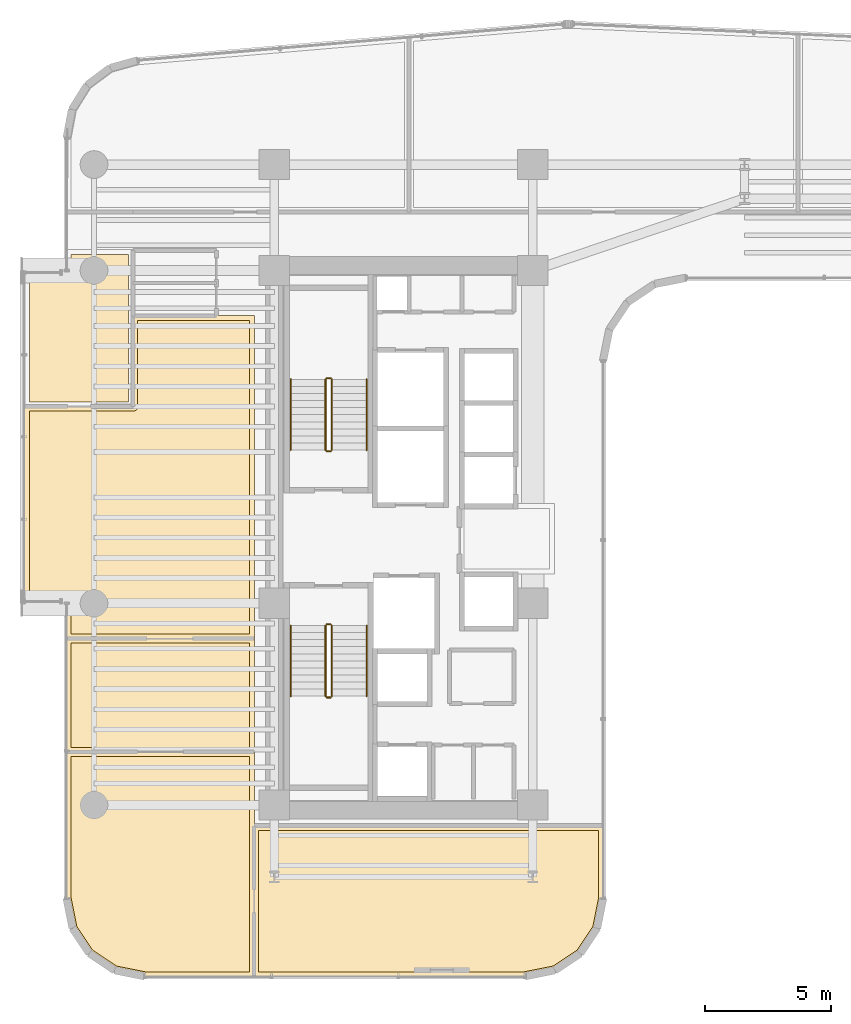
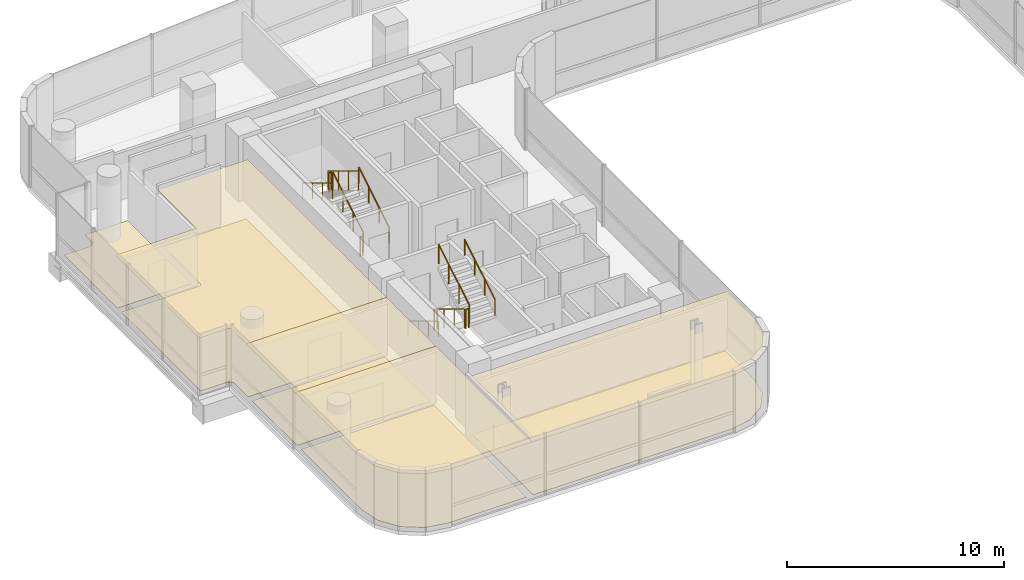
# One storey, part 31 of 34: 12 railings, 9 coverings.
"""IFC4 building model written with IfcOpenShell, lengths in metres."""

from ifc_helpers import new_model, si_unit, direction, frame, origin, origin_2d, place, context, subcontext, project, spatial, polyline, circle, outline, extrude, material, layer, layer_set, type_object, element, save


model = new_model("IFC4")

# Units and contexts
model_context = context("Model", 3, precision=1e-05, world=origin(), true_north=direction((0.0, 1.0)))
body_context = subcontext(model_context, "Body", "Model", "MODEL_VIEW")
ifc_project = project(units=[si_unit("LENGTHUNIT", "METRE"), si_unit("AREAUNIT", "SQUARE_METRE"), si_unit("VOLUMEUNIT", "CUBIC_METRE"), si_unit("PLANEANGLEUNIT", "RADIAN"), si_unit("MASSUNIT", "GRAM", prefix="KILO")], contexts=[model_context])

# Site, building, storey
site_placement = place(None, origin())
site = spatial("IfcSite", under=ifc_project, at=site_placement, CompositionType="ELEMENT")
building_placement = place(site_placement, origin())
building = spatial("IfcBuilding", under=site, at=building_placement, Name="Valdorenza Pilgrim Sanctuary Tower", CompositionType="ELEMENT")
storey_placement = place(building_placement, frame((0.0, 0.0, 146.39990234375)))
storey = spatial("IfcBuildingStorey", under=building, at=storey_placement, Name="L37", CompositionType="ELEMENT", Elevation=146.39990234375)

# Coverings
ifc_material_1 = material(Name="Micro-perforated acoustic mineral ceiling tile", Category="gypsum")
ifc_layer_1 = layer(ifc_material_1, 0.02490234375, Name="Micro-perforated acoustic mineral ceiling tile")
ifc_layer_set_1 = layer_set([ifc_layer_1], Name="Micro-perforated acoustic mineral ceiling tile")
covering_type_1 = type_object("IfcCoveringType", Name="COV-CLG-ACU", PredefinedType="CEILING", material=ifc_layer_set_1)
covering_1_placement = place(storey_placement, frame((0.0, 0.0, 3.16015625)))
element("IfcCovering", 1, at=covering_1_placement, inside=storey, type_object=covering_type_1, Name="L37 Theological Seminar Classroom L37-S1 Acoustic Ceiling", PredefinedType="CEILING", context=body_context, shape_type="SweptSolid", body=[
    extrude(outline(polyline([(-23.43505859375, -17.389892578125), (-23.43505859375, -17.3916015625), (-23.435302734375, -17.392822265625), (-23.435546875, -17.394287109375), (-23.43603515625, -17.395751953125), (-23.436767578125, -17.397216796875), (-23.4375, -17.398193359375), (-23.4384765625, -17.3994140625), (-23.439453125, -17.400634765625), (-23.4404296875, -17.401611328125), (-23.441650390625, -17.402587890625), (-23.44287109375, -17.4033203125), (-23.4443359375, -17.40380859375), (-23.445556640625, -17.404296875), (-23.447021484375, -17.40478515625), (-23.448486328125, -17.40478515625), (-23.449951171875, -17.405029296875), (-27.789306640625, -17.405029296875), (-27.79052734375, -17.40478515625), (-27.7919921875, -17.40478515625), (-28.984619140625, -17.16748046875), (-28.986083984375, -17.1669921875), (-28.9873046875, -17.16650390625), (-28.98876953125, -17.166015625), (-28.989990234375, -17.165283203125), (-29.99169921875, -16.495849609375), (-29.992919921875, -16.4951171875), (-29.993896484375, -16.493896484375), (-29.9951171875, -16.492919921875), (-29.995849609375, -16.49169921875), (-30.665283203125, -15.489990234375), (-30.666015625, -15.48876953125), (-30.66650390625, -15.4873046875), (-30.6669921875, -15.486083984375), (-30.66748046875, -15.484619140625), (-30.90478515625, -14.2919921875), (-30.90478515625, -14.29052734375), (-30.905029296875, -14.289306640625), (-30.905029296875, -8.5), (-30.90478515625, -8.49853515625), (-30.90478515625, -8.4970703125), (-30.904296875, -8.49560546875), (-30.90380859375, -8.494384765625), (-30.9033203125, -8.492919921875), (-30.902587890625, -8.49169921875), (-30.901611328125, -8.490478515625), (-30.900634765625, -8.489501953125), (-30.8994140625, -8.48828125), (-30.898193359375, -8.487548828125), (-30.897216796875, -8.48681640625), (-30.895751953125, -8.486083984375), (-30.894287109375, -8.485595703125), (-30.892822265625, -8.4853515625), (-30.8916015625, -8.485107421875), (-30.889892578125, -8.485107421875), (-23.449951171875, -8.485107421875), (-23.448486328125, -8.485107421875), (-23.447021484375, -8.4853515625), (-23.445556640625, -8.485595703125), (-23.4443359375, -8.486083984375), (-23.44287109375, -8.48681640625), (-23.441650390625, -8.487548828125), (-23.4404296875, -8.48828125), (-23.439453125, -8.489501953125), (-23.4384765625, -8.490478515625), (-23.4375, -8.49169921875), (-23.436767578125, -8.492919921875), (-23.43603515625, -8.494384765625), (-23.435546875, -8.49560546875), (-23.435302734375, -8.4970703125), (-23.43505859375, -8.49853515625), (-23.43505859375, -8.5), (-23.43505859375, -17.389892578125)])), origin(), (0.0, 0.0, 1.0), 0.02490234375),
])
covering_2_placement = place(storey_placement, frame((0.0, 0.0, 3.16015625)))
element("IfcCovering", 2, at=covering_2_placement, inside=storey, type_object=covering_type_1, Name="L37 South Contemplation Salon L37 Acoustic Ceiling", PredefinedType="CEILING", context=body_context, shape_type="SweptSolid", body=[
    extrude(outline(polyline([(-23.43505859375, -8.498046875), (-23.43505859375, -8.49951171875), (-23.435302734375, -8.5009765625), (-23.435546875, -8.50244140625), (-23.43603515625, -8.503662109375), (-23.436767578125, -8.505126953125), (-23.4375, -8.50634765625), (-23.4384765625, -8.507568359375), (-23.439453125, -8.508544921875), (-23.4404296875, -8.509521484375), (-23.441650390625, -8.510498046875), (-23.44287109375, -8.51123046875), (-23.4443359375, -8.511962890625), (-23.445556640625, -8.512451171875), (-23.447021484375, -8.5126953125), (-23.448486328125, -8.512939453125), (-23.449951171875, -8.512939453125), (-30.889892578125, -8.512939453125), (-30.8916015625, -8.512939453125), (-30.892822265625, -8.5126953125), (-30.894287109375, -8.512451171875), (-30.895751953125, -8.511962890625), (-30.897216796875, -8.51123046875), (-30.898193359375, -8.510498046875), (-30.8994140625, -8.509521484375), (-30.900634765625, -8.508544921875), (-30.901611328125, -8.507568359375), (-30.902587890625, -8.50634765625), (-30.9033203125, -8.505126953125), (-30.90380859375, -8.503662109375), (-30.904296875, -8.50244140625), (-30.90478515625, -8.5009765625), (-30.90478515625, -8.49951171875), (-30.905029296875, -8.498046875), (-30.905029296875, -4.0), (-30.90478515625, -3.99853515625), (-30.90478515625, -3.9970703125), (-30.904296875, -3.99560546875), (-30.90380859375, -3.994384765625), (-30.9033203125, -3.992919921875), (-30.902587890625, -3.99169921875), (-30.901611328125, -3.990478515625), (-30.900634765625, -3.989501953125), (-30.8994140625, -3.98828125), (-30.898193359375, -3.987548828125), (-30.897216796875, -3.98681640625), (-30.895751953125, -3.986083984375), (-30.894287109375, -3.985595703125), (-30.892822265625, -3.9853515625), (-30.8916015625, -3.985107421875), (-30.889892578125, -3.985107421875), (-23.449951171875, -3.985107421875), (-23.448486328125, -3.985107421875), (-23.447021484375, -3.9853515625), (-23.445556640625, -3.985595703125), (-23.4443359375, -3.986083984375), (-23.44287109375, -3.98681640625), (-23.441650390625, -3.987548828125), (-23.4404296875, -3.98828125), (-23.439453125, -3.989501953125), (-23.4384765625, -3.990478515625), (-23.4375, -3.99169921875), (-23.436767578125, -3.992919921875), (-23.43603515625, -3.994384765625), (-23.435546875, -3.99560546875), (-23.435302734375, -3.9970703125), (-23.43505859375, -3.99853515625), (-23.43505859375, -4.0), (-23.43505859375, -8.498046875)])), origin(), (0.0, 0.0, 1.0), 0.02490234375),
])
covering_3_placement = place(storey_placement, frame((0.0, 0.0, 3.16015625)))
element("IfcCovering", 3, at=covering_3_placement, inside=storey, type_object=covering_type_1, Name="L37 North Contemplation Salon L37 Acoustic Ceiling", PredefinedType="CEILING", context=body_context, shape_type="SweptSolid", body=[
    extrude(outline(polyline([(-28.262939453125, 5.212890625), (-28.262939453125, 8.798095703125), (-28.262939453125, 8.799560546875), (-28.2626953125, 8.80078125), (-28.262451171875, 8.802490234375), (-28.261962890625, 8.8037109375), (-28.26123046875, 8.80517578125), (-28.260498046875, 8.806396484375), (-28.259521484375, 8.8076171875), (-28.258544921875, 8.80859375), (-28.257568359375, 8.8095703125), (-28.25634765625, 8.810546875), (-28.255126953125, 8.811279296875), (-28.253662109375, 8.81201171875), (-28.25244140625, 8.8125), (-28.2509765625, 8.812744140625), (-28.24951171875, 8.81298828125), (-28.248046875, 8.81298828125), (-24.955322265625, 8.81298828125), (-24.954833984375, 8.813232421875), (-24.95361328125, 8.81396484375), (-24.9521484375, 8.814453125), (-24.95068359375, 8.814697265625), (-24.949462890625, 8.81494140625), (-24.947998046875, 8.81494140625), (-23.449951171875, 8.81494140625), (-23.448486328125, 8.81494140625), (-23.447021484375, 8.814697265625), (-23.445556640625, 8.814453125), (-23.4443359375, 8.81396484375), (-23.44287109375, 8.813232421875), (-23.441650390625, 8.8125), (-23.4404296875, 8.8115234375), (-23.439453125, 8.810546875), (-23.4384765625, 8.8095703125), (-23.4375, 8.808349609375), (-23.436767578125, 8.80712890625), (-23.43603515625, 8.8056640625), (-23.435546875, 8.804443359375), (-23.435302734375, 8.802978515625), (-23.43505859375, 8.801513671875), (-23.43505859375, 8.800048828125), (-23.43505859375, -3.998046875), (-23.43505859375, -3.99951171875), (-23.435302734375, -4.0009765625), (-23.435546875, -4.00244140625), (-23.43603515625, -4.003662109375), (-23.436767578125, -4.005126953125), (-23.4375, -4.00634765625), (-23.4384765625, -4.007568359375), (-23.439453125, -4.008544921875), (-23.4404296875, -4.009521484375), (-23.441650390625, -4.010498046875), (-23.44287109375, -4.01123046875), (-23.4443359375, -4.011962890625), (-23.445556640625, -4.012451171875), (-23.447021484375, -4.0126953125), (-23.448486328125, -4.012939453125), (-23.449951171875, -4.012939453125), (-30.889892578125, -4.012939453125), (-30.8916015625, -4.012939453125), (-30.892822265625, -4.0126953125), (-30.894287109375, -4.012451171875), (-30.895751953125, -4.011962890625), (-30.897216796875, -4.01123046875), (-30.898193359375, -4.010498046875), (-30.8994140625, -4.009521484375), (-30.900634765625, -4.008544921875), (-30.901611328125, -4.007568359375), (-30.902587890625, -4.00634765625), (-30.9033203125, -4.005126953125), (-30.90380859375, -4.003662109375), (-30.904296875, -4.00244140625), (-30.90478515625, -4.0009765625), (-30.90478515625, -3.99951171875), (-30.905029296875, -3.998046875), (-30.905029296875, -2.600341796875), (-30.905517578125, -2.5908203125), (-30.90673828125, -2.58154296875), (-30.9091796875, -2.572509765625), (-30.912109375, -2.563720703125), (-30.916259765625, -2.55517578125), (-30.9208984375, -2.547119140625), (-30.926513671875, -2.539794921875), (-30.932861328125, -2.53271484375), (-30.939697265625, -2.526611328125), (-30.947265625, -2.52099609375), (-30.955078125, -2.51611328125), (-30.963623046875, -2.51220703125), (-30.972412109375, -2.509033203125), (-30.9814453125, -2.5068359375), (-30.99072265625, -2.505615234375), (-31.00048828125, -2.5048828125), (-32.5400390625, -2.5048828125), (-32.54150390625, -2.5048828125), (-32.54296875, -2.504638671875), (-32.54443359375, -2.50439453125), (-32.545654296875, -2.50390625), (-32.547119140625, -2.503173828125), (-32.54833984375, -2.50244140625), (-32.549560546875, -2.501708984375), (-32.550537109375, -2.50048828125), (-32.551513671875, -2.49951171875), (-32.552490234375, -2.498291015625), (-32.55322265625, -2.4970703125), (-32.553955078125, -2.49560546875), (-32.554443359375, -2.494384765625), (-32.5546875, -2.492919921875), (-32.554931640625, -2.491455078125), (-32.554931640625, -2.489990234375), (-32.554931640625, 5.197998046875), (-32.554931640625, 5.199462890625), (-32.5546875, 5.200927734375), (-32.554443359375, 5.202392578125), (-32.553955078125, 5.20361328125), (-32.55322265625, 5.205078125), (-32.552490234375, 5.206298828125), (-32.551513671875, 5.20751953125), (-32.550537109375, 5.20849609375), (-32.549560546875, 5.209716796875), (-32.54833984375, 5.21044921875), (-32.547119140625, 5.211181640625), (-32.545654296875, 5.2119140625), (-32.54443359375, 5.21240234375), (-32.54296875, 5.212646484375), (-32.54150390625, 5.212890625), (-32.5400390625, 5.212890625), (-28.262939453125, 5.212890625)])), origin(), (0.0, 0.0, 1.0), 0.02490234375),
])
covering_4_placement = place(storey_placement, frame((0.0, 0.0, 3.16015625)))
element("IfcCovering", 4, at=covering_4_placement, inside=storey, type_object=covering_type_1, Name="L37 South Panoramic Viewing Salon L37 Acoustic Ceiling", PredefinedType="CEILING", context=body_context, shape_type="SweptSolid", body=[
    extrude(outline(polyline([(-9.610107421875, -11.405029296875), (-9.6083984375, -11.405029296875), (-9.607177734375, -11.4052734375), (-9.605712890625, -11.405517578125), (-9.604248046875, -11.406005859375), (-9.602783203125, -11.40673828125), (-9.601806640625, -11.407470703125), (-9.6005859375, -11.408447265625), (-9.599365234375, -11.409423828125), (-9.598388671875, -11.410400390625), (-9.597412109375, -11.41162109375), (-9.5966796875, -11.412841796875), (-9.59619140625, -11.414306640625), (-9.595703125, -11.41552734375), (-9.59521484375, -11.4169921875), (-9.59521484375, -11.41845703125), (-9.594970703125, -11.419921875), (-9.594970703125, -14.289306640625), (-9.59521484375, -14.29052734375), (-9.59521484375, -14.2919921875), (-9.83251953125, -15.484619140625), (-9.8330078125, -15.486083984375), (-9.83349609375, -15.4873046875), (-9.833984375, -15.48876953125), (-9.834716796875, -15.489990234375), (-10.504150390625, -16.49169921875), (-10.5048828125, -16.492919921875), (-10.506103515625, -16.493896484375), (-10.507080078125, -16.4951171875), (-10.50830078125, -16.495849609375), (-11.510009765625, -17.165283203125), (-11.51123046875, -17.166015625), (-11.5126953125, -17.16650390625), (-11.513916015625, -17.1669921875), (-11.515380859375, -17.16748046875), (-12.7080078125, -17.40478515625), (-12.70947265625, -17.40478515625), (-12.710693359375, -17.405029296875), (-23.447998046875, -17.405029296875), (-23.449462890625, -17.40478515625), (-23.450927734375, -17.40478515625), (-23.452392578125, -17.404296875), (-23.45361328125, -17.40380859375), (-23.455078125, -17.4033203125), (-23.456298828125, -17.402587890625), (-23.45751953125, -17.401611328125), (-23.45849609375, -17.400634765625), (-23.459716796875, -17.3994140625), (-23.46044921875, -17.398193359375), (-23.461181640625, -17.397216796875), (-23.4619140625, -17.395751953125), (-23.46240234375, -17.394287109375), (-23.462646484375, -17.392822265625), (-23.462890625, -17.3916015625), (-23.462890625, -17.389892578125), (-23.462890625, -11.419921875), (-23.462890625, -11.41845703125), (-23.462646484375, -11.4169921875), (-23.46240234375, -11.41552734375), (-23.4619140625, -11.414306640625), (-23.461181640625, -11.412841796875), (-23.46044921875, -11.41162109375), (-23.459716796875, -11.410400390625), (-23.45849609375, -11.409423828125), (-23.45751953125, -11.408447265625), (-23.456298828125, -11.407470703125), (-23.455078125, -11.40673828125), (-23.45361328125, -11.406005859375), (-23.452392578125, -11.405517578125), (-23.450927734375, -11.4052734375), (-23.449462890625, -11.405029296875), (-23.447998046875, -11.405029296875), (-9.610107421875, -11.405029296875)])), origin(), (0.0, 0.0, 1.0), 0.02490234375),
])
ifc_material_2 = material(Name="Engineered European oak timber flooring", Category="wood")
ifc_layer_2 = layer(ifc_material_2, 0.02197265625, Name="Engineered European oak timber flooring")
ifc_layer_set_2 = layer_set([ifc_layer_2], Name="Engineered European oak timber flooring")
covering_type_2 = type_object("IfcCoveringType", Name="COV-FLR-OAK", PredefinedType="FLOORING", material=ifc_layer_set_2)
covering_5_placement = place(storey_placement, origin())
element("IfcCovering", 5, at=covering_5_placement, inside=storey, type_object=covering_type_2, Name="L37 Theological Seminar Classroom L37-S1 Flooring", PredefinedType="FLOORING", context=body_context, shape_type="SweptSolid", body=[
    extrude(outline(polyline([(-23.6298828125, -17.2099609375), (-27.771484375, -17.2099609375), (-28.911376953125, -16.983154296875), (-29.853515625, -16.353515625), (-30.483154296875, -15.411376953125), (-30.7099609375, -14.271484375), (-30.7099609375, -8.679931640625), (-23.6298828125, -8.679931640625), (-23.6298828125, -17.2099609375)])), origin(), (0.0, 0.0, 1.0), 0.025146484375),
])
ifc_material_3 = material(Name="Honed travertine stone flooring", Category="masonry")
ifc_layer_3 = layer(ifc_material_3, 0.030029296875, Name="Honed travertine stone flooring")
ifc_layer_set_3 = layer_set([ifc_layer_3], Name="Honed travertine stone flooring")
covering_type_3 = type_object("IfcCoveringType", Name="COV-FLR-TRV", PredefinedType="FLOORING", material=ifc_layer_set_3)
covering_6_placement = place(storey_placement, origin())
element("IfcCovering", 6, at=covering_6_placement, inside=storey, type_object=covering_type_3, Name="L37 North Contemplation Lounge L37 Flooring", PredefinedType="FLOORING", context=body_context, shape_type="SweptSolid", body=[
    extrude(outline(polyline([(-28.431884765625, 11.239990234375), (-28.431884765625, 10.10205078125), (-28.431884765625, 10.10107421875), (-28.431884765625, 10.100341796875), (-28.431884765625, 10.10009765625), (-28.431884765625, 8.800048828125), (-28.43017578125, 5.3798828125), (-32.360107421875, 5.3798828125), (-32.360107421875, 10.31005859375), (-31.0, 10.31005859375), (-30.9912109375, 10.310302734375), (-30.98046875, 10.310791015625), (-30.962890625, 10.3125), (-30.9521484375, 10.314208984375), (-30.934814453125, 10.3173828125), (-30.92431640625, 10.320068359375), (-30.907470703125, 10.3251953125), (-30.897216796875, 10.328857421875), (-30.880859375, 10.335693359375), (-30.87109375, 10.34033203125), (-30.855712890625, 10.3486328125), (-30.84619140625, 10.35400390625), (-30.831787109375, 10.364013671875), (-30.822998046875, 10.370361328125), (-30.809326171875, 10.381591796875), (-30.80126953125, 10.388916015625), (-30.788818359375, 10.4013671875), (-30.781494140625, 10.4091796875), (-30.7705078125, 10.423095703125), (-30.763916015625, 10.431640625), (-30.754150390625, 10.4462890625), (-30.74853515625, 10.45556640625), (-30.740234375, 10.47119140625), (-30.735595703125, 10.48095703125), (-30.72900390625, 10.497314453125), (-30.725341796875, 10.50732421875), (-30.72021484375, 10.5244140625), (-30.717529296875, 10.534912109375), (-30.714111328125, 10.552001953125), (-30.71240234375, 10.562744140625), (-30.710693359375, 10.580322265625), (-30.710205078125, 10.59130859375), (-30.7099609375, 10.60009765625), (-30.7099609375, 11.239990234375), (-28.431884765625, 11.239990234375)])), origin(), (0.0, 0.0, 1.0), 0.025146484375),
])
covering_7_placement = place(storey_placement, origin())
element("IfcCovering", 7, at=covering_7_placement, inside=storey, type_object=covering_type_3, Name="L37 South Contemplation Salon L37 Flooring", PredefinedType="FLOORING", context=body_context, shape_type="SweptSolid", body=[
    extrude(outline(polyline([(-23.6298828125, -8.318115234375), (-30.7099609375, -8.318115234375), (-30.7099609375, -4.179931640625), (-23.6298828125, -4.179931640625), (-23.6298828125, -8.318115234375)])), origin(), (0.0, 0.0, 1.0), 0.025146484375),
])
covering_8_placement = place(storey_placement, origin())
element("IfcCovering", 8, at=covering_8_placement, inside=storey, type_object=covering_type_3, Name="L37 North Contemplation Salon L37 Flooring", PredefinedType="FLOORING", context=body_context, shape_type="SweptSolid", body=[
    extrude(outline(polyline([(-23.6298828125, 8.619873046875), (-23.6298828125, -3.818115234375), (-30.7099609375, -3.818115234375), (-30.7099609375, -2.60009765625), (-30.710205078125, -2.59130859375), (-30.710693359375, -2.580322265625), (-30.71240234375, -2.562744140625), (-30.714111328125, -2.552001953125), (-30.717529296875, -2.534912109375), (-30.72021484375, -2.5244140625), (-30.725341796875, -2.50732421875), (-30.72900390625, -2.497314453125), (-30.735595703125, -2.48095703125), (-30.740234375, -2.47119140625), (-30.74853515625, -2.45556640625), (-30.754150390625, -2.4462890625), (-30.763916015625, -2.431640625), (-30.7705078125, -2.423095703125), (-30.781494140625, -2.4091796875), (-30.788818359375, -2.4013671875), (-30.80126953125, -2.388916015625), (-30.809326171875, -2.381591796875), (-30.822998046875, -2.370361328125), (-30.831787109375, -2.364013671875), (-30.84619140625, -2.35400390625), (-30.855712890625, -2.3486328125), (-30.87109375, -2.34033203125), (-30.880859375, -2.335693359375), (-30.897216796875, -2.328857421875), (-30.907470703125, -2.3251953125), (-30.92431640625, -2.320068359375), (-30.934814453125, -2.3173828125), (-30.9521484375, -2.314208984375), (-30.962890625, -2.3125), (-30.98046875, -2.310791015625), (-30.9912109375, -2.310302734375), (-31.0, -2.31005859375), (-32.360107421875, -2.31005859375), (-32.360107421875, 5.01806640625), (-28.25, 5.01806640625), (-28.2412109375, 5.018310546875), (-28.240966796875, 5.018310546875), (-28.223388671875, 5.02001953125), (-28.22314453125, 5.02001953125), (-28.205810546875, 5.0234375), (-28.205810546875, 5.0234375), (-28.188720703125, 5.028564453125), (-28.188720703125, 5.02880859375), (-28.17236328125, 5.035400390625), (-28.172119140625, 5.035400390625), (-28.156494140625, 5.043701171875), (-28.156494140625, 5.0439453125), (-28.1416015625, 5.0537109375), (-28.1416015625, 5.053955078125), (-28.1279296875, 5.065185546875), (-28.127685546875, 5.065185546875), (-28.115234375, 5.07763671875), (-28.114990234375, 5.077880859375), (-28.10400390625, 5.091552734375), (-28.103759765625, 5.091796875), (-28.093994140625, 5.1064453125), (-28.09375, 5.1064453125), (-28.08544921875, 5.1220703125), (-28.08544921875, 5.122314453125), (-28.07861328125, 5.138671875), (-28.07861328125, 5.138916015625), (-28.073486328125, 5.15576171875), (-28.073486328125, 5.156005859375), (-28.070068359375, 5.173095703125), (-28.070068359375, 5.17333984375), (-28.068115234375, 5.19091796875), (-28.068115234375, 5.191162109375), (-28.068115234375, 5.199951171875), (-28.068115234375, 8.617919921875), (-24.949951171875, 8.617919921875), (-24.94970703125, 8.617919921875), (-23.6298828125, 8.619873046875)])), origin(), (0.0, 0.0, 1.0), 0.025146484375),
])
covering_9_placement = place(storey_placement, origin())
element("IfcCovering", 9, at=covering_9_placement, inside=storey, type_object=covering_type_3, Name="L37 South Panoramic Viewing Salon L37 Flooring", PredefinedType="FLOORING", context=body_context, shape_type="SweptSolid", body=[
    extrude(outline(polyline([(-9.7900390625, -11.60009765625), (-9.7900390625, -14.271484375), (-10.016845703125, -15.411376953125), (-10.646484375, -16.353515625), (-11.588623046875, -16.983154296875), (-12.728515625, -17.2099609375), (-23.26806640625, -17.2099609375), (-23.26806640625, -11.60009765625), (-9.7900390625, -11.60009765625)])), origin(), (0.0, 0.0, 1.0), 0.025146484375),
])

# Railings
ifc_material_4 = material(Name="Stainless steel Grade 316", Category="steel")
railing_type_1 = type_object("IfcRailingType", Name="RLG-GRD-1120", PredefinedType="GUARDRAIL", material=ifc_material_4)
railing_1_placement = place(storey_placement, frame((-20.3701171875, 3.47998046875, 0.168212890625)))
element("IfcRailing", 10, at=railing_1_placement, inside=storey, type_object=railing_type_1, Name="L37 ST-A1 stair guard 1", PredefinedType="GUARDRAIL", context=body_context, shape_type="SweptSolid", body=[
    extrude(circle(Radius=0.02392578125, at=origin_2d()), frame((0.0, 0.0, 1.076171875), z_axis=(0.0, 0.857242210791, 0.514913383045), x_axis=(-1.0, 0.0, 0.0)), (0.0, 0.0, 1.0), 3.266357421875),
    extrude(circle(Radius=0.02099609375, at=origin_2d()), origin(), (0.0, 0.0, 1.0), 1.052001953125),
    extrude(circle(Radius=0.02099609375, at=origin_2d()), frame((0.0, 0.933349609375, 0.560546875)), (0.0, 0.0, 1.0), 1.052001953125),
    extrude(circle(Radius=0.02099609375, at=origin_2d()), frame((0.0, 1.86669921875, 1.121337890625)), (0.0, 0.0, 1.0), 1.052001953125),
    extrude(circle(Radius=0.02099609375, at=origin_2d()), frame((0.0, 2.800048828125, 1.681884765625)), (0.0, 0.0, 1.0), 1.052001953125),
])
railing_2_placement = place(storey_placement, frame((-20.419921875, 6.330078125, 1.85009765625)))
element("IfcRailing", 11, at=railing_2_placement, inside=storey, type_object=railing_type_1, Name="L37 ST-A1 stair guard 2", PredefinedType="GUARDRAIL", context=body_context, shape_type="SweptSolid", body=[
    extrude(circle(Radius=0.02392578125, at=origin_2d()), frame((0.0, 0.0, 1.076171875), z_axis=(-1.0, 0.0, 0.0), x_axis=(0.0, -1.0, 0.0)), (0.0, 0.0, 1.0), 0.150146484375),
    extrude(circle(Radius=0.02099609375, at=origin_2d()), origin(), (0.0, 0.0, 1.0), 1.052001953125),
    extrude(circle(Radius=0.02099609375, at=origin_2d()), frame((-0.150146484375, 0.0, 0.0)), (0.0, 0.0, 1.0), 1.052001953125),
])
railing_3_placement = place(storey_placement, frame((-20.6201171875, 6.280029296875, 2.018310546875)))
element("IfcRailing", 12, at=railing_3_placement, inside=storey, type_object=railing_type_1, Name="L37 ST-A1 stair guard 3", PredefinedType="GUARDRAIL", context=body_context, shape_type="SweptSolid", body=[
    extrude(circle(Radius=0.02392578125, at=origin_2d()), frame((0.0, 0.0, 1.076171875), z_axis=(0.0, -0.857242210791, 0.514913383045), x_axis=(1.0, 0.0, 0.0)), (0.0, 0.0, 1.0), 3.266357421875),
    extrude(circle(Radius=0.02099609375, at=origin_2d()), origin(), (0.0, 0.0, 1.0), 1.052001953125),
    extrude(circle(Radius=0.02099609375, at=origin_2d()), frame((0.0, -0.933349609375, 0.560546875)), (0.0, 0.0, 1.0), 1.052001953125),
    extrude(circle(Radius=0.02099609375, at=origin_2d()), frame((0.0, -1.86669921875, 1.121337890625)), (0.0, 0.0, 1.0), 1.052001953125),
    extrude(circle(Radius=0.02099609375, at=origin_2d()), frame((0.0, -2.800048828125, 1.681884765625)), (0.0, 0.0, 1.0), 1.052001953125),
])
railing_4_placement = place(storey_placement, frame((-20.419921875, 3.429931640625, 0.0)))
element("IfcRailing", 13, at=railing_4_placement, inside=storey, type_object=railing_type_1, Name="L37 ST-A1 stair guard 4", PredefinedType="GUARDRAIL", context=body_context, shape_type="SweptSolid", body=[
    extrude(circle(Radius=0.02392578125, at=origin_2d()), frame((0.0, 0.0, 1.076171875), z_axis=(-1.0, 0.0, 0.0), x_axis=(0.0, -1.0, 0.0)), (0.0, 0.0, 1.0), 0.150146484375),
    extrude(circle(Radius=0.02099609375, at=origin_2d()), origin(), (0.0, 0.0, 1.0), 1.052001953125),
    extrude(circle(Radius=0.02099609375, at=origin_2d()), frame((-0.150146484375, 0.0, 0.0)), (0.0, 0.0, 1.0), 1.052001953125),
])
railing_5_placement = place(storey_placement, frame((-20.6201171875, -3.47998046875, 0.168212890625)))
element("IfcRailing", 14, at=railing_5_placement, inside=storey, type_object=railing_type_1, Name="L37 ST-A2 stair guard 1", PredefinedType="GUARDRAIL", context=body_context, shape_type="SweptSolid", body=[
    extrude(circle(Radius=0.02392578125, at=origin_2d()), frame((0.0, 0.0, 1.076171875), z_axis=(0.0, -0.857242210791, 0.514913383045), x_axis=(1.0, 0.0, 0.0)), (0.0, 0.0, 1.0), 3.266357421875),
    extrude(circle(Radius=0.02099609375, at=origin_2d()), origin(), (0.0, 0.0, 1.0), 1.052001953125),
    extrude(circle(Radius=0.02099609375, at=origin_2d()), frame((0.0, -0.933349609375, 0.560546875)), (0.0, 0.0, 1.0), 1.052001953125),
    extrude(circle(Radius=0.02099609375, at=origin_2d()), frame((0.0, -1.86669921875, 1.121337890625)), (0.0, 0.0, 1.0), 1.052001953125),
    extrude(circle(Radius=0.02099609375, at=origin_2d()), frame((0.0, -2.800048828125, 1.681884765625)), (0.0, 0.0, 1.0), 1.052001953125),
])
railing_6_placement = place(storey_placement, frame((-20.570068359375, -6.330078125, 1.85009765625)))
element("IfcRailing", 15, at=railing_6_placement, inside=storey, type_object=railing_type_1, Name="L37 ST-A2 stair guard 2", PredefinedType="GUARDRAIL", context=body_context, shape_type="SweptSolid", body=[
    extrude(circle(Radius=0.02392578125, at=origin_2d()), frame((0.0, 0.0, 1.076171875), z_axis=(1.0, 0.0, 0.0), x_axis=(0.0, 1.0, 0.0)), (0.0, 0.0, 1.0), 0.150146484375),
    extrude(circle(Radius=0.02099609375, at=origin_2d()), origin(), (0.0, 0.0, 1.0), 1.052001953125),
    extrude(circle(Radius=0.02099609375, at=origin_2d()), frame((0.150146484375, 0.0, 0.0)), (0.0, 0.0, 1.0), 1.052001953125),
])
railing_7_placement = place(storey_placement, frame((-20.3701171875, -6.280029296875, 2.018310546875)))
element("IfcRailing", 16, at=railing_7_placement, inside=storey, type_object=railing_type_1, Name="L37 ST-A2 stair guard 3", PredefinedType="GUARDRAIL", context=body_context, shape_type="SweptSolid", body=[
    extrude(circle(Radius=0.02392578125, at=origin_2d()), frame((0.0, 0.0, 1.076171875), z_axis=(0.0, 0.857242210791, 0.514913383045), x_axis=(-1.0, 0.0, 0.0)), (0.0, 0.0, 1.0), 3.266357421875),
    extrude(circle(Radius=0.02099609375, at=origin_2d()), origin(), (0.0, 0.0, 1.0), 1.052001953125),
    extrude(circle(Radius=0.02099609375, at=origin_2d()), frame((0.0, 0.933349609375, 0.560546875)), (0.0, 0.0, 1.0), 1.052001953125),
    extrude(circle(Radius=0.02099609375, at=origin_2d()), frame((0.0, 1.86669921875, 1.121337890625)), (0.0, 0.0, 1.0), 1.052001953125),
    extrude(circle(Radius=0.02099609375, at=origin_2d()), frame((0.0, 2.800048828125, 1.681884765625)), (0.0, 0.0, 1.0), 1.052001953125),
])
railing_8_placement = place(storey_placement, frame((-20.570068359375, -3.429931640625, 0.0)))
element("IfcRailing", 17, at=railing_8_placement, inside=storey, type_object=railing_type_1, Name="L37 ST-A2 stair guard 4", PredefinedType="GUARDRAIL", context=body_context, shape_type="SweptSolid", body=[
    extrude(circle(Radius=0.02392578125, at=origin_2d()), frame((0.0, 0.0, 1.076171875), z_axis=(1.0, 0.0, 0.0), x_axis=(0.0, 1.0, 0.0)), (0.0, 0.0, 1.0), 0.150146484375),
    extrude(circle(Radius=0.02099609375, at=origin_2d()), origin(), (0.0, 0.0, 1.0), 1.052001953125),
    extrude(circle(Radius=0.02099609375, at=origin_2d()), frame((0.150146484375, 0.0, 0.0)), (0.0, 0.0, 1.0), 1.052001953125),
])
ifc_material_5 = material(Name="Brushed stainless steel Grade 316", Category="steel")
railing_type_2 = type_object("IfcRailingType", Name="RLG-HND-920", PredefinedType="HANDRAIL", material=ifc_material_5)
railing_9_placement = place(storey_placement, frame((-18.989990234375, 3.47998046875, 0.168212890625)))
element("IfcRailing", 18, at=railing_9_placement, inside=storey, type_object=railing_type_2, Name="L37 ST-A1 stair handrail 1", PredefinedType="HANDRAIL", context=body_context, shape_type="SweptSolid", body=[
    extrude(circle(Radius=0.02392578125, at=origin_2d()), frame((0.0, 0.0, 0.8759765625), z_axis=(0.0, 0.857242210791, 0.514913383045), x_axis=(-1.0, 0.0, 0.0)), (0.0, 0.0, 1.0), 3.266357421875),
    extrude(circle(Radius=0.02099609375, at=origin_2d()), origin(), (0.0, 0.0, 1.0), 0.851806640625),
    extrude(circle(Radius=0.02099609375, at=origin_2d()), frame((0.0, 0.933349609375, 0.560546875)), (0.0, 0.0, 1.0), 0.851806640625),
    extrude(circle(Radius=0.02099609375, at=origin_2d()), frame((0.0, 1.86669921875, 1.121337890625)), (0.0, 0.0, 1.0), 0.851806640625),
    extrude(circle(Radius=0.02099609375, at=origin_2d()), frame((0.0, 2.800048828125, 1.681884765625)), (0.0, 0.0, 1.0), 0.851806640625),
])
for number, where, name in (
    (19, (-22.0, 6.280029296875, 2.018310546875), "L37 ST-A1 stair handrail 2"),
    (20, (-22.0, -3.47998046875, 0.168212890625), "L37 ST-A2 stair handrail 1"),
):
    element("IfcRailing", number, at=place(storey_placement, frame(where)), inside=storey, type_object=railing_type_2, Name=name, PredefinedType="HANDRAIL", context=body_context, shape_type="SweptSolid", body=[
        extrude(circle(Radius=0.02392578125, at=origin_2d()), frame((0.0, 0.0, 0.8759765625), z_axis=(0.0, -0.857242210791, 0.514913383045), x_axis=(1.0, 0.0, 0.0)), (0.0, 0.0, 1.0), 3.266357421875),
        extrude(circle(Radius=0.02099609375, at=origin_2d()), origin(), (0.0, 0.0, 1.0), 0.851806640625),
        extrude(circle(Radius=0.02099609375, at=origin_2d()), frame((0.0, -0.933349609375, 0.560546875)), (0.0, 0.0, 1.0), 0.851806640625),
        extrude(circle(Radius=0.02099609375, at=origin_2d()), frame((0.0, -1.86669921875, 1.121337890625)), (0.0, 0.0, 1.0), 0.851806640625),
        extrude(circle(Radius=0.02099609375, at=origin_2d()), frame((0.0, -2.800048828125, 1.681884765625)), (0.0, 0.0, 1.0), 0.851806640625),
    ])
railing_10_placement = place(storey_placement, frame((-18.989990234375, -6.280029296875, 2.018310546875)))
element("IfcRailing", 21, at=railing_10_placement, inside=storey, type_object=railing_type_2, Name="L37 ST-A2 stair handrail 2", PredefinedType="HANDRAIL", context=body_context, shape_type="SweptSolid", body=[
    extrude(circle(Radius=0.02392578125, at=origin_2d()), frame((0.0, 0.0, 0.8759765625), z_axis=(0.0, 0.857242210791, 0.514913383045), x_axis=(-1.0, 0.0, 0.0)), (0.0, 0.0, 1.0), 3.266357421875),
    extrude(circle(Radius=0.02099609375, at=origin_2d()), origin(), (0.0, 0.0, 1.0), 0.851806640625),
    extrude(circle(Radius=0.02099609375, at=origin_2d()), frame((0.0, 0.933349609375, 0.560546875)), (0.0, 0.0, 1.0), 0.851806640625),
    extrude(circle(Radius=0.02099609375, at=origin_2d()), frame((0.0, 1.86669921875, 1.121337890625)), (0.0, 0.0, 1.0), 0.851806640625),
    extrude(circle(Radius=0.02099609375, at=origin_2d()), frame((0.0, 2.800048828125, 1.681884765625)), (0.0, 0.0, 1.0), 0.851806640625),
])

save(model, "model.ifc")
